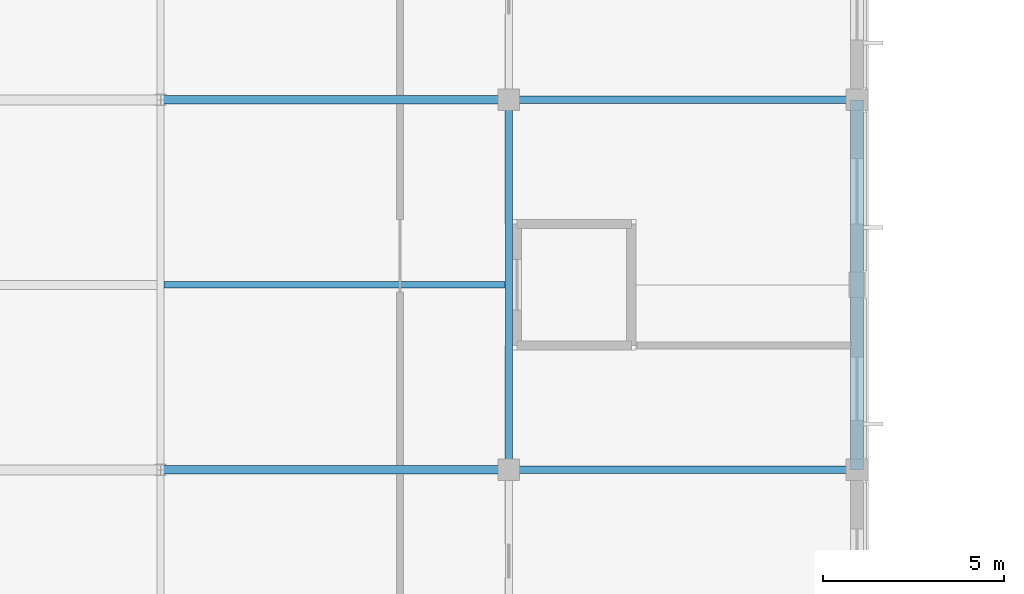
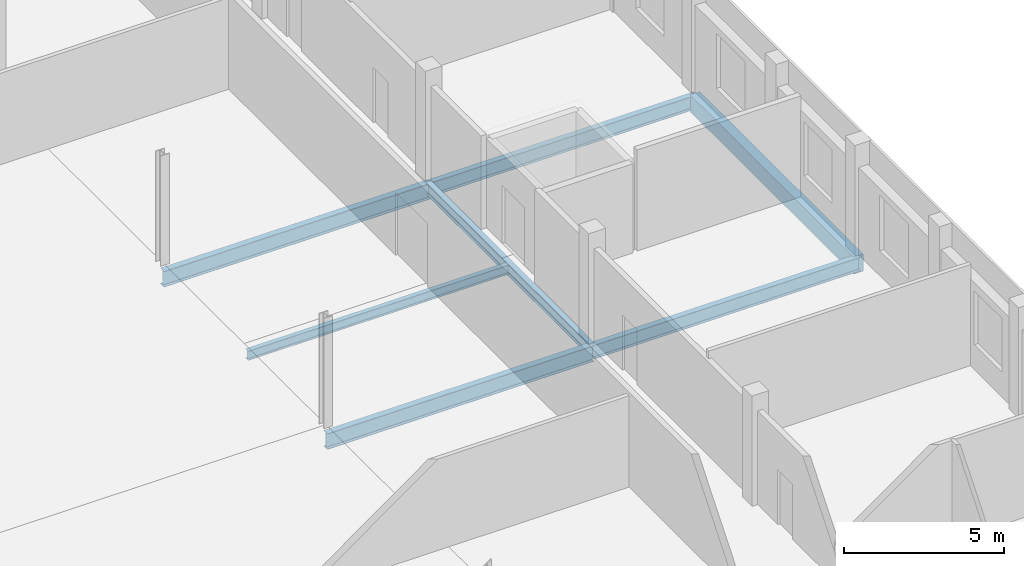
# One storey, part 62 of 185: 7 beams.
"""IFC4 building model written with IfcOpenShell, lengths in metres."""

from ifc_helpers import new_model, si_unit, direction, frame, origin, origin_2d, place, context, subcontext, project, spatial, rectangle, i_section, extrude, material, material_profile, profile_set, type_object, element, save


model = new_model("IFC4")

# Units and contexts
model_context = context("Model", 3, precision=1e-05, world=origin(), true_north=direction((0.0, 1.0)))
body_context = subcontext(model_context, "Body", "Model", "MODEL_VIEW")
ifc_project = project(units=[si_unit("LENGTHUNIT", "METRE"), si_unit("AREAUNIT", "SQUARE_METRE"), si_unit("VOLUMEUNIT", "CUBIC_METRE"), si_unit("PLANEANGLEUNIT", "RADIAN"), si_unit("MASSUNIT", "GRAM", prefix="KILO")], contexts=[model_context])

# Site, building, storey
site_placement = place(None, origin())
site = spatial("IfcSite", under=ifc_project, at=site_placement, CompositionType="ELEMENT")
building_placement = place(site_placement, origin())
building = spatial("IfcBuilding", under=site, at=building_placement, Name="Vondelvale Polytechnic", CompositionType="ELEMENT")
storey_placement = place(building_placement, frame((0.0, 0.0, 9.60009765625)))
storey = spatial("IfcBuildingStorey", under=building, at=storey_placement, Name="L02", CompositionType="ELEMENT", Elevation=9.60009765625)

# Beams
ifc_material_1 = material(Name="Steel 300PLUS (fy = 300 MPa)", Category="steel")
ifc_material_profile_1 = material_profile(ifc_material_1, i_section(OverallWidth=0.18994140625, OverallDepth=0.45703125, WebThickness=0.009033203125, FlangeThickness=0.014404296875, FilletRadius=0.011474609375, at=origin_2d()), Name="460UB74.6")
ifc_profile_set_1 = profile_set([ifc_material_profile_1], Name="Steel 300PLUS (fy = 300 MPa)")
beam_type_1 = type_object("IfcBeamType", Name="BM-UB460", PredefinedType="BEAM", material=ifc_profile_set_1)
beam_1_placement = place(storey_placement, frame((38.39990234375, 81.60009765625, -0.508544921875), z_axis=(0.0, 1.0, 0.0), x_axis=(-1.0, 0.0, 0.0)))
element("IfcBeam", 1, at=beam_1_placement, inside=storey, type_object=beam_type_1, Name="L02 B B-13", PredefinedType="BEAM", context=body_context, shape_type="SweptSolid", body=[
    extrude(i_section(OverallWidth=0.18994140625, OverallDepth=0.45703125, WebThickness=0.009033203125, FlangeThickness=0.014404296875, FilletRadius=0.011474609375, at=origin_2d()), origin(), (0.0, 0.0, 1.0), 10.199951171875),
])
ifc_material_profile_2 = material_profile(ifc_material_1, i_section(OverallWidth=0.208984375, OverallDepth=0.528076171875, WebThickness=0.009521484375, FlangeThickness=0.01318359375, FilletRadius=0.013916015625, at=origin_2d()), Name="530UB82.0")
ifc_profile_set_2 = profile_set([ifc_material_profile_2], Name="Steel 300PLUS (fy = 300 MPa)")
beam_type_2 = type_object("IfcBeamType", Name="BM-UB530L", PredefinedType="BEAM", material=ifc_profile_set_2)
for number, where, z_axis, x_axis, name in (
    (2, (38.39990234375, 81.60009765625, -0.544189453125), (1.0, 0.0, 0.0), (0.0, 1.0, 0.0), "L02 B B-21"),
    (3, (38.39990234375, 91.800048828125, -0.544189453125), (1.0, 0.0, 0.0), (0.0, 1.0, 0.0), "L02 B B-21"),
):
    element("IfcBeam", number, at=place(storey_placement, frame(where, z_axis=z_axis, x_axis=x_axis)), inside=storey, type_object=beam_type_2, Name=name, PredefinedType="BEAM", context=body_context, shape_type="SweptSolid", body=[
        extrude(i_section(OverallWidth=0.208984375, OverallDepth=0.528076171875, WebThickness=0.009521484375, FlangeThickness=0.01318359375, FilletRadius=0.013916015625, at=origin_2d()), origin(), (0.0, 0.0, 1.0), 9.60009765625),
    ])
ifc_material_profile_3 = material_profile(ifc_material_1, i_section(OverallWidth=0.22802734375, OverallDepth=0.60205078125, WebThickness=0.010498046875, FlangeThickness=0.014892578125, FilletRadius=0.013916015625, at=origin_2d()), Name="610UB101")
ifc_profile_set_3 = profile_set([ifc_material_profile_3], Name="Steel 300PLUS (fy = 300 MPa)")
beam_type_3 = type_object("IfcBeamType", Name="BM-UB610", PredefinedType="BEAM", material=ifc_profile_set_3)
for number, where, z_axis, x_axis, name in (
    (4, (28.800048828125, 81.60009765625, -0.5810546875), (1.0, 0.0, 0.0), (0.0, 1.0, 0.0), "L02 B B-10"),
    (5, (28.800048828125, 91.800048828125, -0.5810546875), (1.0, 0.0, 0.0), (0.0, 1.0, 0.0), "L02 B B-10"),
):
    element("IfcBeam", number, at=place(storey_placement, frame(where, z_axis=z_axis, x_axis=x_axis)), inside=storey, type_object=beam_type_3, Name=name, PredefinedType="BEAM", context=body_context, shape_type="SweptSolid", body=[
        extrude(i_section(OverallWidth=0.22802734375, OverallDepth=0.60205078125, WebThickness=0.010498046875, FlangeThickness=0.014892578125, FilletRadius=0.013916015625, at=origin_2d()), origin(), (0.0, 0.0, 1.0), 9.599853515625),
    ])
ifc_material_profile_4 = material_profile(ifc_material_1, i_section(OverallWidth=0.1708984375, OverallDepth=0.35595703125, WebThickness=0.00732421875, FlangeThickness=0.011474609375, FilletRadius=0.011474609375, at=origin_2d()), Name="360UB50.7")
ifc_profile_set_4 = profile_set([ifc_material_profile_4], Name="Steel 300PLUS (fy = 300 MPa)")
beam_type_4 = type_object("IfcBeamType", Name="JST-UB360", PredefinedType="JOIST", material=ifc_profile_set_4)
beam_2_placement = place(storey_placement, frame((28.89990234375, 86.699951171875, -0.4580078125), z_axis=(1.0, 0.0, 0.0), x_axis=(0.0, 1.0, 0.0)))
element("IfcBeam", 6, at=beam_2_placement, inside=storey, type_object=beam_type_4, Name="L02 J J-04", PredefinedType="JOIST", context=body_context, shape_type="SweptSolid", body=[
    extrude(i_section(OverallWidth=0.1708984375, OverallDepth=0.35595703125, WebThickness=0.00732421875, FlangeThickness=0.011474609375, FilletRadius=0.011474609375, at=origin_2d()), origin(), (0.0, 0.0, 1.0), 9.400146484375),
])
ifc_material_2 = material(Name="Precast concrete N40 (f'c = 40 MPa)", Category="concrete")
ifc_material_profile_5 = material_profile(ifc_material_2, rectangle(XDim=0.35009765625, YDim=0.64990234375, at=origin_2d()), Name="RC-SPN-350x650")
ifc_profile_set_5 = profile_set([ifc_material_profile_5], Name="Precast concrete N40 (f'c = 40 MPa)")
beam_type_5 = type_object("IfcBeamType", Name="SPN-PRE350x650", PredefinedType="SPANDREL", material=ifc_profile_set_5)
beam_3_placement = place(storey_placement, frame((48.0, 81.60009765625, -0.60498046875), z_axis=(0.0, 1.0, 0.0), x_axis=(-1.0, 0.0, 0.0)))
element("IfcBeam", 7, at=beam_3_placement, inside=storey, type_object=beam_type_5, Name="L02 B SP-02", PredefinedType="SPANDREL", context=body_context, shape_type="SweptSolid", body=[
    extrude(rectangle(XDim=0.35009765625, YDim=0.64990234375, at=origin_2d()), origin(), (0.0, 0.0, 1.0), 10.199951171875),
])

save(model, "model.ifc")
